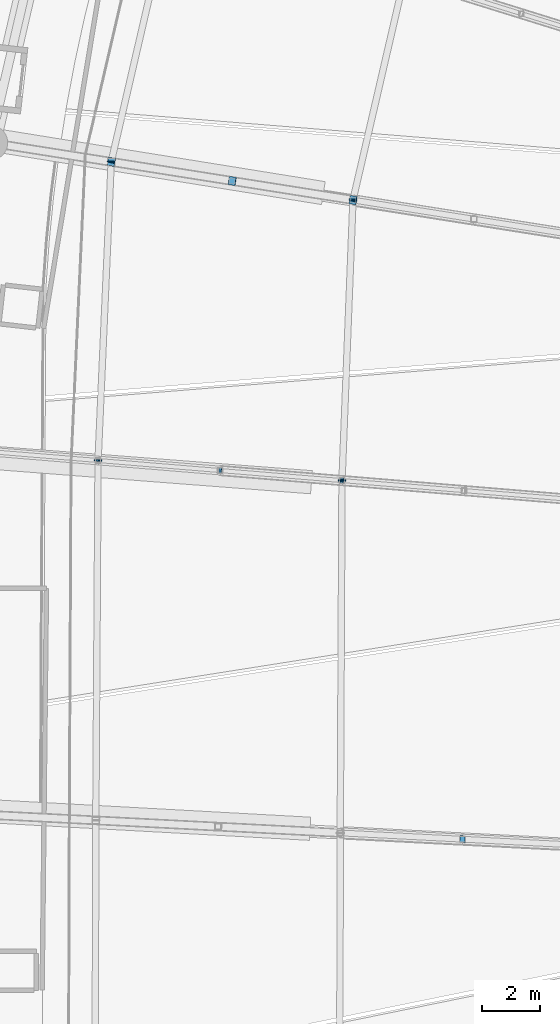
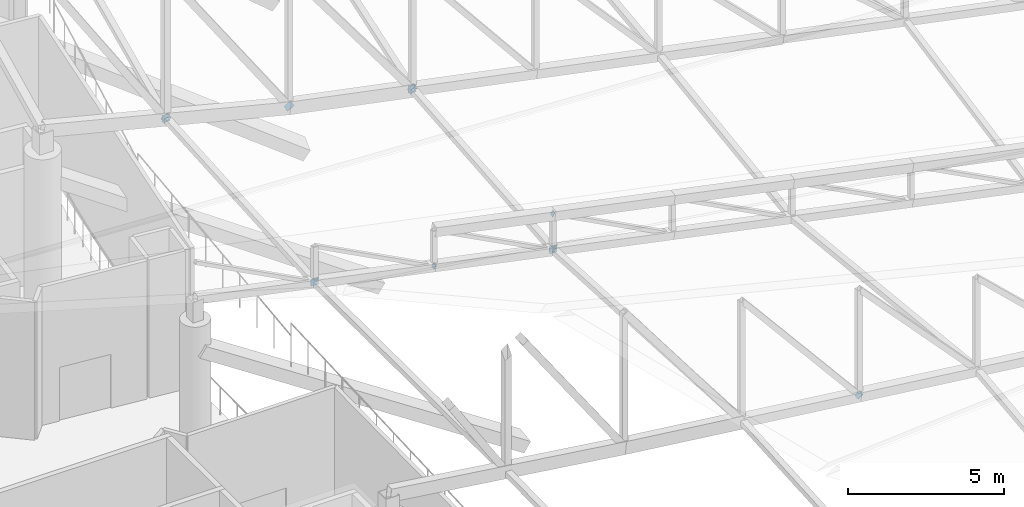
# One storey, part 311 of 344: 15 discrete accessories.
"""IFC4 building model written with IfcOpenShell, lengths in metres."""

from ifc_helpers import new_model, si_unit, direction, frame, origin, origin_2d, place, context, subcontext, project, spatial, rectangle, extrude, material, material_profile, profile_set, type_object, element, save


model = new_model("IFC4")

# Units and contexts
model_context = context("Model", 3, precision=1e-05, world=origin(), true_north=direction((0.0, 1.0)))
body_context = subcontext(model_context, "Body", "Model", "MODEL_VIEW")
ifc_project = project(units=[si_unit("LENGTHUNIT", "METRE"), si_unit("AREAUNIT", "SQUARE_METRE"), si_unit("VOLUMEUNIT", "CUBIC_METRE"), si_unit("PLANEANGLEUNIT", "RADIAN"), si_unit("MASSUNIT", "GRAM", prefix="KILO")], contexts=[model_context])

# Site, building, storey
site_placement = place(None, origin())
site = spatial("IfcSite", under=ifc_project, at=site_placement, CompositionType="ELEMENT")
building_placement = place(site_placement, origin())
building = spatial("IfcBuilding", under=site, at=building_placement, Name="Meseta Stadium", CompositionType="ELEMENT")
storey_placement = place(building_placement, frame((0.0, 0.0, 24.0)))
storey = spatial("IfcBuildingStorey", under=building, at=storey_placement, Name="L04", CompositionType="ELEMENT", Elevation=24.0)

# Discrete accessories
ifc_material_1 = material(Name="Steel S355", Category="steel")
ifc_material_profile_1 = material_profile(ifc_material_1, rectangle(XDim=0.179931640625, YDim=0.179931640625, at=origin_2d()), Name="PL 180x180")
ifc_profile_set_1 = profile_set([ifc_material_profile_1], Name="Steel S355")
discrete_accessory_type_1 = type_object("IfcDiscreteAccessoryType", Name="End plate 180x180x20", PredefinedType="ANCHORPLATE", material=ifc_profile_set_1)
discrete_accessory_1_placement = place(storey_placement, frame((-72.230224609375, 41.910400390625, 6.305419921875), z_axis=(-0.894443975619, 0.073515943202, 0.44109565921), x_axis=(-0.081915556729, -0.996639273542, 0.0)))
element("IfcDiscreteAccessory", 1, at=discrete_accessory_1_placement, inside=storey, type_object=discrete_accessory_type_1, Name="End plate of ROOF TRUSS RT-29 diagonal", PredefinedType="ANCHORPLATE", context=body_context, shape_type="SweptSolid", body=[
    extrude(rectangle(XDim=0.179931640625, YDim=0.179931640625, at=origin_2d()), origin(), (0.0, 0.0, 1.0), 0.02001953125),
])
discrete_accessory_2_placement = place(storey_placement, frame((-72.212158203125, 41.908935546875, 4.890869140625), z_axis=(-0.896854406293, 0.072717924835, 0.436307549007), x_axis=(-0.080815868766, -0.996729048115, 0.0)))
element("IfcDiscreteAccessory", 2, at=discrete_accessory_2_placement, inside=storey, type_object=discrete_accessory_type_1, Name="End plate of ROOF TRUSS RT-29 diagonal", PredefinedType="ANCHORPLATE", context=body_context, shape_type="SweptSolid", body=[
    extrude(rectangle(XDim=0.179931640625, YDim=0.179931640625, at=origin_2d()), origin(), (0.0, 0.0, 1.0), 0.020263671875),
])
discrete_accessory_3_placement = place(storey_placement, frame((-76.420166015625, 42.2548828125, 5.5244140625), z_axis=(-0.899249391933, 0.073910908926, 0.431146968735), x_axis=(-0.081915556729, -0.996639273542, 0.0)))
element("IfcDiscreteAccessory", 3, at=discrete_accessory_3_placement, inside=storey, type_object=discrete_accessory_type_1, Name="End plate of ROOF TRUSS RT-29 diagonal", PredefinedType="ANCHORPLATE", context=body_context, shape_type="SweptSolid", body=[
    extrude(rectangle(XDim=0.179931640625, YDim=0.179931640625, at=origin_2d()), origin(), (0.0, 0.0, 1.0), 0.019775390625),
])
ifc_material_2 = material(Name="Steel S355", Category="steel")
ifc_material_profile_2 = material_profile(ifc_material_2, rectangle(XDim=0.239990234375, YDim=0.239990234375, at=origin_2d()), Name="PL 240x240")
ifc_profile_set_2 = profile_set([ifc_material_profile_2], Name="Steel S355")
discrete_accessory_type_2 = type_object("IfcDiscreteAccessoryType", Name="End plate 240x240x20", PredefinedType="ANCHORPLATE", material=ifc_profile_set_2)
discrete_accessory_4_placement = place(storey_placement, frame((-68.061279296875, 29.536376953125, 5.261474609375), z_axis=(-0.649342091356, 0.036755212718, 0.75960772951), x_axis=(-0.056513312023, -0.998401845734, 0.0)))
element("IfcDiscreteAccessory", 4, at=discrete_accessory_4_placement, inside=storey, type_object=discrete_accessory_type_2, Name="End plate of ROOF TRUSS RT-30 diagonal", PredefinedType="ANCHORPLATE", context=body_context, shape_type="SweptSolid", body=[
    extrude(rectangle(XDim=0.239990234375, YDim=0.239990234375, at=origin_2d()), origin(), (0.0, 0.0, 1.0), 0.02001953125),
])
ifc_material_3 = material(Name="Steel S355", Category="steel")
ifc_material_profile_3 = material_profile(ifc_material_3, rectangle(XDim=0.260009765625, YDim=0.260009765625, at=origin_2d()), Name="PL 260x260")
ifc_profile_set_3 = profile_set([ifc_material_profile_3], Name="Steel S355")
discrete_accessory_type_3 = type_object("IfcDiscreteAccessoryType", Name="End plate 260x260x20", PredefinedType="ANCHORPLATE", material=ifc_profile_set_3)
for number, where, z_axis, x_axis, name in (
    (5, (-71.85205078125, 51.588134765625, 5.181884765625), (-0.220796577189, -0.969051644329, 0.110398288594), (0.975011472973, -0.222154512829, 0.0), "End plate of ROOF TRUSS STRUT RT-27/28"),
    (6, (-80.19287109375, 52.90625, 6.160888671875), (-0.230799497075, -0.971787356105, 0.048589367805), (0.97293655072, -0.231072430796, 0.0), "End plate of ROOF TRUSS STRUT RT-27/28"),
    (7, (-71.851318359375, 51.608154296875, 5.182373046875), (-0.036550050475, -0.999034712973, -0.024366700316), (0.999331426586, -0.036560905851, 0.0), "End plate of ROOF TRUSS STRUT RT-28/29"),
    (8, (-72.230224609375, 41.910400390625, 4.899658203125), (-0.036536494842, -0.998664192354, -0.036536494842), (0.999331426586, -0.036560905851, 0.0), "End plate of ROOF TRUSS STRUT RT-28/29"),
    (9, (-80.19189453125, 52.92626953125, 6.160888671875), (-0.048722553713, -0.998812351125, 0.0), (0.998812351125, -0.048722553713, 0.0), "End plate of ROOF TRUSS STRUT RT-28/29"),
    (10, (-80.64599609375, 42.6025390625, 6.16650390625), (-0.048722553713, -0.998812351125, 0.0), (0.998812351125, -0.048722553713, 0.0), "End plate of ROOF TRUSS STRUT RT-28/29"),
    (11, (-72.22998046875, 41.930419921875, 4.8984375), (-0.012171612389, -0.998072215898, 0.060858061945), (0.999925647793, -0.012194215217, 0.0), "End plate of ROOF TRUSS STRUT RT-29/30"),
    (12, (-80.64599609375, 42.62255859375, 6.166259765625), (0.0, -0.999925647793, 0.012194215217), (1.0, 0.0, 0.0), "End plate of ROOF TRUSS STRUT RT-29/30"),
):
    element("IfcDiscreteAccessory", number, at=place(storey_placement, frame(where, z_axis=z_axis, x_axis=x_axis)), inside=storey, type_object=discrete_accessory_type_3, Name=name, PredefinedType="ANCHORPLATE", context=body_context, shape_type="SweptSolid", body=[
        extrude(rectangle(XDim=0.260009765625, YDim=0.260009765625, at=origin_2d()), origin(), (0.0, 0.0, 1.0), 0.02001953125),
    ])
ifc_material_4 = material(Name="Steel S355", Category="steel")
ifc_material_profile_4 = material_profile(ifc_material_4, rectangle(XDim=0.2900390625, YDim=0.2900390625, at=origin_2d()), Name="PL 290x290")
ifc_profile_set_4 = profile_set([ifc_material_profile_4], Name="Steel S355")
discrete_accessory_type_4 = type_object("IfcDiscreteAccessoryType", Name="End plate 290x290x20", PredefinedType="ANCHORPLATE", material=ifc_profile_set_4)
discrete_accessory_5_placement = place(storey_placement, frame((-71.840087890625, 51.586181640625, 5.165771484375), z_axis=(-0.593296867385, 0.096864794675, 0.799134556069), x_axis=(-0.161131898902, -0.986932880776, 0.0)))
element("IfcDiscreteAccessory", 13, at=discrete_accessory_5_placement, inside=storey, type_object=discrete_accessory_type_4, Name="End plate of ROOF TRUSS RT-28 diagonal", PredefinedType="ANCHORPLATE", context=body_context, shape_type="SweptSolid", body=[
    extrude(rectangle(XDim=0.2900390625, YDim=0.2900390625, at=origin_2d()), origin(), (0.0, 0.0, 1.0), 0.020263671875),
])
for number, where, z_axis, x_axis, name in (
    (14, (-76.01123046875, 52.245361328125, 5.5546875), (-0.557667941714, 0.096985728994, 0.824378696447), (-0.171341174751, -0.98521175482, 0.0), "End plate of ROOF TRUSS RT-28 diagonal"),
    (15, (-80.18212890625, 52.904541015625, 6.14404296875), (-0.535709697438, 0.085226542774, 0.840090207346), (-0.157115048735, -0.987580306335, 0.0), "End plate of ROOF TRUSS RT-28 diagonal"),
):
    element("IfcDiscreteAccessory", number, at=place(storey_placement, frame(where, z_axis=z_axis, x_axis=x_axis)), inside=storey, type_object=discrete_accessory_type_4, Name=name, PredefinedType="ANCHORPLATE", context=body_context, shape_type="SweptSolid", body=[
        extrude(rectangle(XDim=0.2900390625, YDim=0.2900390625, at=origin_2d()), origin(), (0.0, 0.0, 1.0), 0.02001953125),
    ])

save(model, "model.ifc")
